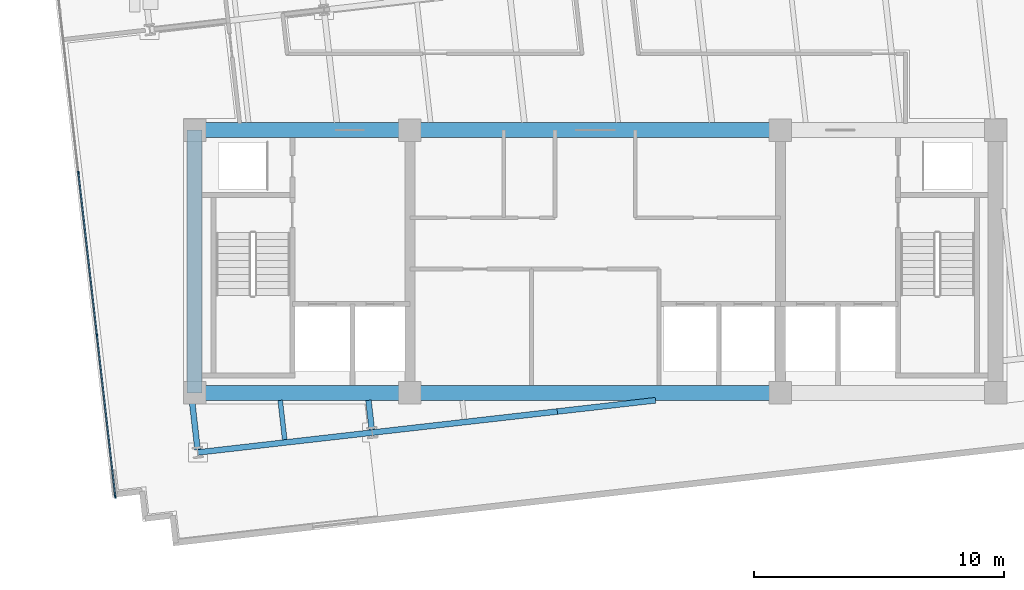
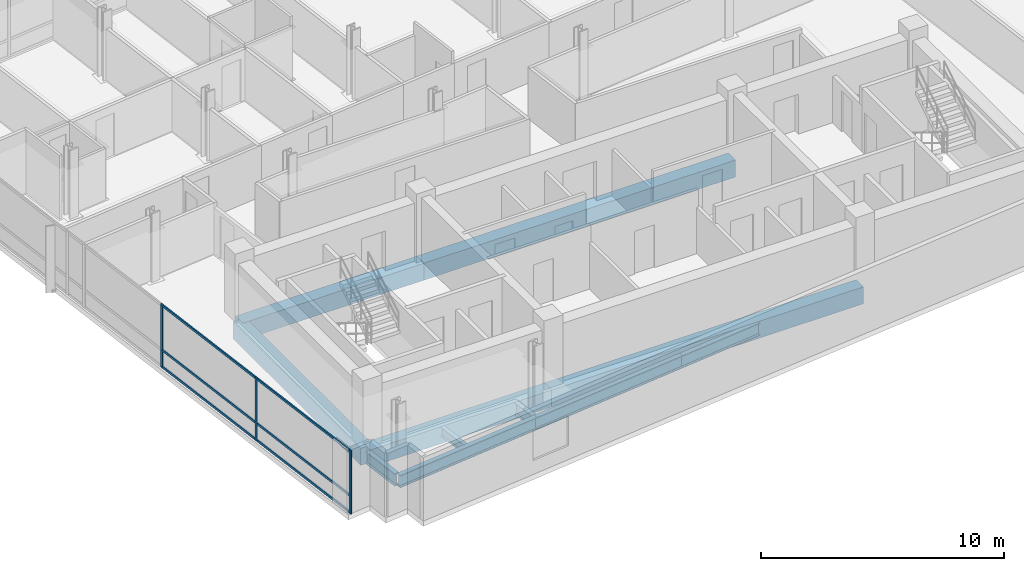
# One storey, part 2 of 16: 11 beams, 9 members, 1 element without a shape of its own.
"""IFC4 building model written with IfcOpenShell, lengths in metres."""

from ifc_helpers import new_model, si_unit, direction, frame, origin, origin_2d, place, context, subcontext, project, spatial, rectangle, i_section, extrude, material, material_profile, profile_set, type_object, element, aggregate, save


model = new_model("IFC4")

# Units and contexts
model_context = context("Model", 3, precision=1e-05, world=origin(), true_north=direction((0.0, 1.0)))
body_context = subcontext(model_context, "Body", "Model", "MODEL_VIEW")
ifc_project = project(units=[si_unit("LENGTHUNIT", "METRE"), si_unit("AREAUNIT", "SQUARE_METRE"), si_unit("VOLUMEUNIT", "CUBIC_METRE"), si_unit("PLANEANGLEUNIT", "RADIAN"), si_unit("MASSUNIT", "GRAM", prefix="KILO")], contexts=[model_context])

# Site, building, storey
site_placement = place(None, origin())
site = spatial("IfcSite", under=ifc_project, at=site_placement, CompositionType="ELEMENT")
building_placement = place(site_placement, origin())
building = spatial("IfcBuilding", under=site, at=building_placement, Name="Solmavex Isthmus Hotel", CompositionType="ELEMENT")
storey_placement = place(building_placement, frame((0.0, 0.0, 222.75)))
storey = spatial("IfcBuildingStorey", under=building, at=storey_placement, Name="L60", CompositionType="ELEMENT", Elevation=222.75)

# Beams
ifc_material_1 = material(Name="Steel ASTM A992 Grade 50", Category="steel")
ifc_material_profile_1 = material_profile(ifc_material_1, i_section(OverallWidth=0.1904296875, OverallDepth=0.456787109375, WebThickness=0.009033203125, FlangeThickness=0.014404296875, FilletRadius=0.0126953125, at=origin_2d()), Name="W18X50")
ifc_profile_set_1 = profile_set([ifc_material_profile_1], Name="Steel ASTM A992 Grade 50")
beam_type_1 = type_object("IfcBeamType", Name="BM-BJ-W18X50", PredefinedType="JOIST", material=ifc_profile_set_1)
beam_1_placement = place(storey_placement, frame((-12.404052734375, -14.872314453125, -0.488525390625), z_axis=(-0.113242002738, 0.993567435465, 0.0), x_axis=(-0.993567435465, -0.113242002738, 0.0)))
element("IfcBeam", 1, at=beam_1_placement, inside=storey, type_object=beam_type_1, Name="Secondary Floor Joist L60-J01", PredefinedType="JOIST", context=body_context, shape_type="SweptSolid", body=[
    extrude(i_section(OverallWidth=0.1904296875, OverallDepth=0.456787109375, WebThickness=0.009033203125, FlangeThickness=0.014404296875, FilletRadius=0.0126953125, at=origin_2d()), origin(), (0.0, 0.0, 1.0), 1.58251953125),
])
ifc_material_profile_2 = material_profile(ifc_material_1, i_section(OverallWidth=0.227783203125, OverallDepth=0.602783203125, WebThickness=0.010498046875, FlangeThickness=0.014892578125, FilletRadius=0.01513671875, at=origin_2d()), Name="W24X68")
ifc_profile_set_2 = profile_set([ifc_material_profile_2], Name="Steel ASTM A992 Grade 50")
beam_type_2 = type_object("IfcBeamType", Name="BM-BM-W24X68", PredefinedType="BEAM", material=ifc_profile_set_2)
beam_2_placement = place(storey_placement, frame((-8.922607421875, -14.4755859375, -0.561279296875), z_axis=(-0.113284703976, 0.993562567655, 0.0), x_axis=(-0.993562567655, -0.113284703976, 0.0)))
element("IfcBeam", 2, at=beam_2_placement, inside=storey, type_object=beam_type_2, Name="Floor Beam L60-VG27", PredefinedType="BEAM", context=body_context, shape_type="SweptSolid", body=[
    extrude(i_section(OverallWidth=0.227783203125, OverallDepth=0.602783203125, WebThickness=0.010498046875, FlangeThickness=0.014892578125, FilletRadius=0.01513671875, at=origin_2d()), origin(), (0.0, 0.0, 1.0), 1.18310546875),
])
ifc_material_2 = material(Name="Concrete C50/60", Category="concrete")
ifc_material_profile_3 = material_profile(ifc_material_2, rectangle(XDim=0.60009765625, YDim=0.85009765625, at=origin_2d()), Name="RC600X850")
ifc_profile_set_3 = profile_set([ifc_material_profile_3], Name="Concrete C50/60")
beam_type_3 = type_object("IfcBeamType", Name="BM-CB-600X850", PredefinedType="BEAM", material=ifc_profile_set_3)
beam_3_placement = place(storey_placement, frame((-16.0, -13.0, -0.68505859375), z_axis=(1.0, 0.0, 0.0), x_axis=(0.0, 1.0, 0.0)))
element("IfcBeam", 3, at=beam_3_placement, inside=storey, type_object=beam_type_3, Name="Core Coupling Beam L60-CB1", PredefinedType="BEAM", context=body_context, shape_type="SweptSolid", body=[
    extrude(rectangle(XDim=0.60009765625, YDim=0.85009765625, at=origin_2d()), origin(), (0.0, 0.0, 1.0), 8.60009765625),
])
beam_4_placement = place(storey_placement, frame((-7.39990234375, -13.0, -0.68505859375), z_axis=(1.0, 0.0, 0.0), x_axis=(0.0, 1.0, 0.0)))
element("IfcBeam", 4, at=beam_4_placement, inside=storey, type_object=beam_type_3, Name="Core Coupling Beam L60-CB2", PredefinedType="BEAM", context=body_context, shape_type="SweptSolid", body=[
    extrude(rectangle(XDim=0.60009765625, YDim=0.85009765625, at=origin_2d()), origin(), (0.0, 0.0, 1.0), 14.7998046875),
])
beam_5_placement = place(storey_placement, frame((-16.0, -2.5, -0.68505859375), z_axis=(1.0, 0.0, 0.0), x_axis=(0.0, 1.0, 0.0)))
element("IfcBeam", 5, at=beam_5_placement, inside=storey, type_object=beam_type_3, Name="Core Coupling Beam L60-CB4", PredefinedType="BEAM", context=body_context, shape_type="SweptSolid", body=[
    extrude(rectangle(XDim=0.60009765625, YDim=0.85009765625, at=origin_2d()), origin(), (0.0, 0.0, 1.0), 8.60009765625),
])
beam_6_placement = place(storey_placement, frame((-7.39990234375, -2.5, -0.68505859375), z_axis=(1.0, 0.0, 0.0), x_axis=(0.0, 1.0, 0.0)))
element("IfcBeam", 6, at=beam_6_placement, inside=storey, type_object=beam_type_3, Name="Core Coupling Beam L60-CB5", PredefinedType="BEAM", context=body_context, shape_type="SweptSolid", body=[
    extrude(rectangle(XDim=0.60009765625, YDim=0.85009765625, at=origin_2d()), origin(), (0.0, 0.0, 1.0), 14.7998046875),
])
beam_7_placement = place(storey_placement, frame((-16.0, -13.0, -0.68505859375), z_axis=(0.0, 1.0, 0.0), x_axis=(-1.0, 0.0, 0.0)))
element("IfcBeam", 7, at=beam_7_placement, inside=storey, type_object=beam_type_3, Name="Core Coupling Beam L60-CB7", PredefinedType="BEAM", context=body_context, shape_type="SweptSolid", body=[
    extrude(rectangle(XDim=0.60009765625, YDim=0.85009765625, at=origin_2d()), origin(), (0.0, 0.0, 1.0), 10.5),
])
ifc_material_profile_4 = material_profile(ifc_material_1, i_section(OverallWidth=0.230224609375, OverallDepth=0.617431640625, WebThickness=0.01318359375, FlangeThickness=0.022216796875, FilletRadius=0.01513671875, at=origin_2d()), Name="W24X94")
ifc_profile_set_4 = profile_set([ifc_material_profile_4], Name="Steel ASTM A992 Grade 50")
beam_type_4 = type_object("IfcBeamType", Name="BM-SP-W24X94", PredefinedType="SPANDREL", material=ifc_profile_set_4)
beam_8_placement = place(storey_placement, frame((-15.87255859375, -15.38330078125, -0.56884765625), z_axis=(0.993574039862, 0.113184041777, 0.0), x_axis=(-0.113184041777, 0.993574039862, 0.0)))
element("IfcBeam", 8, at=beam_8_placement, inside=storey, type_object=beam_type_4, Name="Floor Girder L60-UG01", PredefinedType="SPANDREL", context=body_context, shape_type="SweptSolid", body=[
    extrude(i_section(OverallWidth=0.230224609375, OverallDepth=0.617431640625, WebThickness=0.01318359375, FlangeThickness=0.022216796875, FilletRadius=0.01513671875, at=origin_2d()), origin(), (0.0, 0.0, 1.0), 7.008056640625),
])
beam_9_placement = place(storey_placement, frame((-8.909423828125, -14.590087890625, -0.56884765625), z_axis=(0.993569926006, 0.113220148984, 0.0), x_axis=(-0.113220148984, 0.993569926006, 0.0)))
element("IfcBeam", 9, at=beam_9_placement, inside=storey, type_object=beam_type_4, Name="Floor Girder L60-UG02", PredefinedType="SPANDREL", context=body_context, shape_type="SweptSolid", body=[
    extrude(i_section(OverallWidth=0.230224609375, OverallDepth=0.617431640625, WebThickness=0.01318359375, FlangeThickness=0.022216796875, FilletRadius=0.01513671875, at=origin_2d()), origin(), (0.0, 0.0, 1.0), 7.44580078125),
])
beam_10_placement = place(storey_placement, frame((-1.511474609375, -13.7470703125, -0.56884765625), z_axis=(0.993575434773, 0.113171796023, 0.0), x_axis=(-0.113171796023, 0.993575434773, 0.0)))
element("IfcBeam", 10, at=beam_10_placement, inside=storey, type_object=beam_type_4, Name="Floor Girder L60-UG03", PredefinedType="SPANDREL", context=body_context, shape_type="SweptSolid", body=[
    extrude(i_section(OverallWidth=0.230224609375, OverallDepth=0.617431640625, WebThickness=0.01318359375, FlangeThickness=0.022216796875, FilletRadius=0.01513671875, at=origin_2d()), origin(), (0.0, 0.0, 1.0), 3.949951171875),
])
beam_11_placement = place(storey_placement, frame((-15.885498046875, -15.268798828125, -0.56884765625), z_axis=(-0.113230368519, 0.993568761408, 0.0), x_axis=(-0.993568761408, -0.113230368519, 0.0)))
element("IfcBeam", 11, at=beam_11_placement, inside=storey, type_object=beam_type_4, Name="Floor Beam L60-VG24", PredefinedType="SPANDREL", context=body_context, shape_type="SweptSolid", body=[
    extrude(i_section(OverallWidth=0.230224609375, OverallDepth=0.617431640625, WebThickness=0.01318359375, FlangeThickness=0.022216796875, FilletRadius=0.01513671875, at=origin_2d()), origin(), (0.0, 0.0, 1.0), 1.9814453125),
])

# Curtain wall, members
ifc_material_3 = material(Name="Aluminium alloy 6063-T6", Category="aluminium")
curtain_wall_type = type_object("IfcCurtainWallType", Name="CW-SYS-06", PredefinedType="NOTDEFINED", material=ifc_material_3)
curtain_wall_placement = place(storey_placement, origin())
curtain_wall = element("IfcCurtainWall", 12, at=curtain_wall_placement, inside=storey, type_object=curtain_wall_type, Name="Stick Curtain Wall CWL-L60-W1", PredefinedType="NOTDEFINED")
ifc_material_profile_5 = material_profile(ifc_material_3, rectangle(XDim=0.06005859375, YDim=0.139892578125, at=origin_2d()), Name="CWM-60X140")
ifc_profile_set_5 = profile_set([ifc_material_profile_5], Name="Aluminium alloy 6063-T6")
member_type_1 = type_object("IfcMemberType", Name="CW-SYS-06-MUL", PredefinedType="MULLION", material=ifc_profile_set_5)
member_1_placement = place(storey_placement, frame((-19.175048828125, -17.138427734375, 0.0), z_axis=(0.0, 0.0, 1.0), x_axis=(-0.993571836648, -0.11320338078, 0.0)))
member_1 = element("IfcMember", 13, at=member_1_placement, type_object=member_type_1, Name="CW-06 mullion 1", PredefinedType="MULLION", context=body_context, shape_type="SweptSolid", body=[
    extrude(rectangle(XDim=0.06005859375, YDim=0.139892578125, at=origin_2d()), origin(), (0.0, 0.0, 1.0), 3.18994140625),
])
member_2_placement = place(storey_placement, frame((-19.90966796875, -10.690185546875, 0.0), z_axis=(0.0, 0.0, 1.0), x_axis=(-0.993571836648, -0.11320338078, 0.0)))
member_2 = element("IfcMember", 14, at=member_2_placement, type_object=member_type_1, Name="CW-06 mullion 2", PredefinedType="MULLION", context=body_context, shape_type="SweptSolid", body=[
    extrude(rectangle(XDim=0.06005859375, YDim=0.139892578125, at=origin_2d()), origin(), (0.0, 0.0, 1.0), 3.18994140625),
])
member_3_placement = place(storey_placement, frame((-20.647705078125, -4.212158203125, 0.0), z_axis=(0.0, 0.0, 1.0), x_axis=(-0.993571836648, -0.11320338078, 0.0)))
member_3 = element("IfcMember", 15, at=member_3_placement, type_object=member_type_1, Name="CW-06 mullion 3", PredefinedType="MULLION", context=body_context, shape_type="SweptSolid", body=[
    extrude(rectangle(XDim=0.06005859375, YDim=0.139892578125, at=origin_2d()), origin(), (0.0, 0.0, 1.0), 3.18994140625),
])
ifc_material_profile_6 = material_profile(ifc_material_3, rectangle(XDim=0.06005859375, YDim=0.114990234375, at=origin_2d()), Name="CWT-60X115")
ifc_profile_set_6 = profile_set([ifc_material_profile_6], Name="Aluminium alloy 6063-T6")
member_type_2 = type_object("IfcMemberType", Name="CW-SYS-06-TRN", PredefinedType="USERDEFINED", material=ifc_profile_set_6)
member_4_placement = place(storey_placement, frame((-19.178466796875, -17.108642578125, 0.0576171875), z_axis=(-0.113185709511, 0.993573849879, 0.0), x_axis=(-0.993573849879, -0.113185709511, 0.0)))
member_4 = element("IfcMember", 16, at=member_4_placement, type_object=member_type_2, Name="CW-06 transom 1.1", ObjectType="TRANSOM", PredefinedType="USERDEFINED", context=body_context, shape_type="SweptSolid", body=[
    extrude(rectangle(XDim=0.06005859375, YDim=0.114990234375, at=origin_2d()), origin(), (0.0, 0.0, 1.0), 6.429931640625),
])
member_5_placement = place(storey_placement, frame((-19.178466796875, -17.108642578125, 0.89990234375), z_axis=(-0.113185709511, 0.993573849879, 0.0), x_axis=(-0.993573849879, -0.113185709511, 0.0)))
member_5 = element("IfcMember", 17, at=member_5_placement, type_object=member_type_2, Name="CW-06 transom 1.2", ObjectType="TRANSOM", PredefinedType="USERDEFINED", context=body_context, shape_type="SweptSolid", body=[
    extrude(rectangle(XDim=0.06005859375, YDim=0.114990234375, at=origin_2d()), origin(), (0.0, 0.0, 1.0), 6.429931640625),
])
member_6_placement = place(storey_placement, frame((-19.178466796875, -17.108642578125, 3.132568359375), z_axis=(-0.113185709511, 0.993573849879, 0.0), x_axis=(-0.993573849879, -0.113185709511, 0.0)))
member_6 = element("IfcMember", 18, at=member_6_placement, type_object=member_type_2, Name="CW-06 transom 1.3", ObjectType="TRANSOM", PredefinedType="USERDEFINED", context=body_context, shape_type="SweptSolid", body=[
    extrude(rectangle(XDim=0.06005859375, YDim=0.114990234375, at=origin_2d()), origin(), (0.0, 0.0, 1.0), 6.429931640625),
])
member_7_placement = place(storey_placement, frame((-19.9130859375, -10.660400390625, 0.0576171875), z_axis=(-0.113226824616, 0.993569165276, 0.0), x_axis=(-0.993569165276, -0.113226824616, 0.0)))
member_7 = element("IfcMember", 19, at=member_7_placement, type_object=member_type_2, Name="CW-06 transom 2.1", ObjectType="TRANSOM", PredefinedType="USERDEFINED", context=body_context, shape_type="SweptSolid", body=[
    extrude(rectangle(XDim=0.06005859375, YDim=0.114990234375, at=origin_2d()), origin(), (0.0, 0.0, 1.0), 6.4599609375),
])
member_8_placement = place(storey_placement, frame((-19.9130859375, -10.660400390625, 0.89990234375), z_axis=(-0.113226824616, 0.993569165276, 0.0), x_axis=(-0.993569165276, -0.113226824616, 0.0)))
member_8 = element("IfcMember", 20, at=member_8_placement, type_object=member_type_2, Name="CW-06 transom 2.2", ObjectType="TRANSOM", PredefinedType="USERDEFINED", context=body_context, shape_type="SweptSolid", body=[
    extrude(rectangle(XDim=0.06005859375, YDim=0.114990234375, at=origin_2d()), origin(), (0.0, 0.0, 1.0), 6.4599609375),
])
member_9_placement = place(storey_placement, frame((-19.9130859375, -10.660400390625, 3.132568359375), z_axis=(-0.113226824616, 0.993569165276, 0.0), x_axis=(-0.993569165276, -0.113226824616, 0.0)))
member_9 = element("IfcMember", 21, at=member_9_placement, type_object=member_type_2, Name="CW-06 transom 2.3", ObjectType="TRANSOM", PredefinedType="USERDEFINED", context=body_context, shape_type="SweptSolid", body=[
    extrude(rectangle(XDim=0.06005859375, YDim=0.114990234375, at=origin_2d()), origin(), (0.0, 0.0, 1.0), 6.4599609375),
])
aggregate(curtain_wall, [member_1, member_2, member_3, member_4, member_5, member_6, member_7, member_8, member_9])

save(model, "model.ifc")
